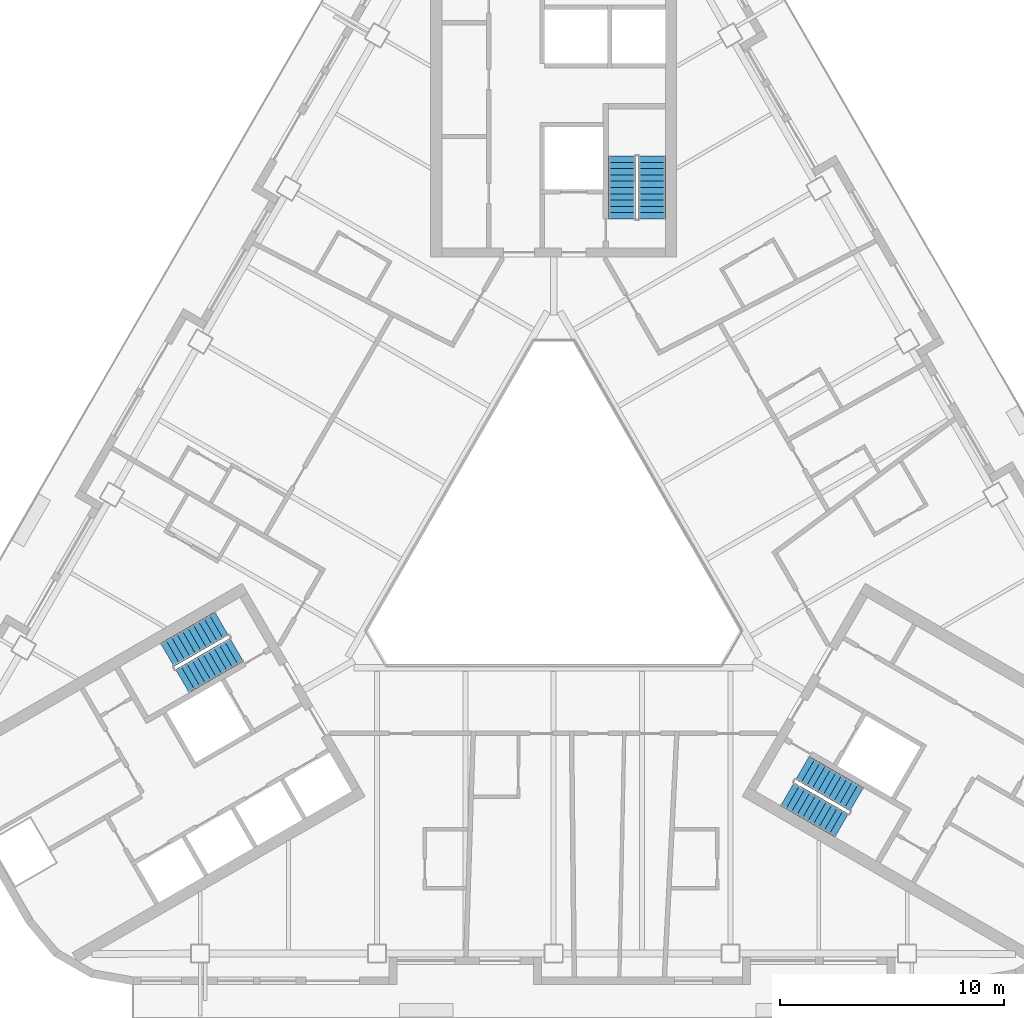
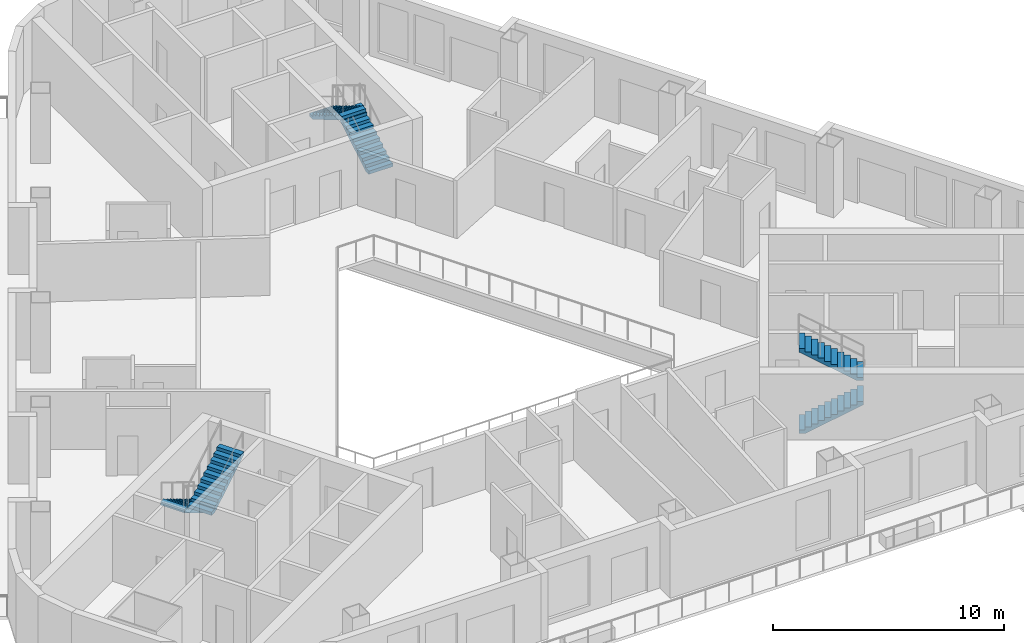
# One storey, part 8 of 14: 6 stair flights, 3 elements without a shape of their own.
"""IFC4 building model written with IfcOpenShell, lengths in metres."""

from ifc_helpers import new_model, si_unit, direction, frame, origin, place, context, subcontext, project, spatial, polyline, outline, extrude, material, type_object, element, aggregate, save


model = new_model("IFC4")

# Units and contexts
model_context = context("Model", 3, precision=1e-05, world=origin(), true_north=direction((0.0, 1.0)))
body_context = subcontext(model_context, "Body", "Model", "MODEL_VIEW")
ifc_project = project(units=[si_unit("LENGTHUNIT", "METRE"), si_unit("AREAUNIT", "SQUARE_METRE"), si_unit("VOLUMEUNIT", "CUBIC_METRE"), si_unit("PLANEANGLEUNIT", "RADIAN"), si_unit("MASSUNIT", "GRAM", prefix="KILO")], contexts=[model_context])

# Site, building, storey
site_placement = place(None, origin())
site = spatial("IfcSite", under=ifc_project, at=site_placement, CompositionType="ELEMENT")
building_placement = place(site_placement, origin())
building = spatial("IfcBuilding", under=site, at=building_placement, Name="Apuvela Tower Hotel", CompositionType="ELEMENT")
storey_placement = place(building_placement, frame((0.0, 0.0, 172.5)))
storey = spatial("IfcBuildingStorey", under=building, at=storey_placement, Name="L41", CompositionType="ELEMENT", Elevation=172.5)

# Stair, stair flights
ifc_material = material(Name="Concrete C50/60", Category="concrete")
stair_type = type_object("IfcStairType", Name="COR-STAIR-22R", PredefinedType="HALF_TURN_STAIR", material=ifc_material)
stair_1_placement = place(storey_placement, origin())
stair_1 = element("IfcStair", 1, at=stair_1_placement, inside=storey, type_object=stair_type, Name="L41 Exit stair ST1", PredefinedType="HALF_TURN_STAIR")
stair_flight_type = type_object("IfcStairFlightType", Name="COR-FLIGHT-11R", PredefinedType="STRAIGHT", material=ifc_material)
stair_flight_1_placement = place(storey_placement, frame((4.39990234375, 14.60009765625, 0.0), z_axis=(0.0, 0.0, 1.0), x_axis=(0.0, 1.0, 0.0)))
stair_flight_1 = element("IfcStairFlight", 2, at=stair_flight_1_placement, type_object=stair_flight_type, Name="ST1 flight 1", NumberOfRisers=11, NumberOfTreads=10, PredefinedType="STRAIGHT", RiserHeight=0.168181818, TreadLength=0.28, context=body_context, shape_type="SweptSolid", body=[
    extrude(outline(polyline([(0.0, 0.0), (0.0, 0.168212890625), (0.280029296875, 0.168212890625), (0.280029296875, 0.33642578125), (0.56005859375, 0.33642578125), (0.56005859375, 0.504638671875), (0.840087890625, 0.504638671875), (0.840087890625, 0.672607421875), (1.1201171875, 0.672607421875), (1.1201171875, 0.8408203125), (1.39990234375, 0.8408203125), (1.39990234375, 1.009033203125), (1.679931640625, 1.009033203125), (1.679931640625, 1.17724609375), (1.9599609375, 1.17724609375), (1.9599609375, 1.345458984375), (2.239990234375, 1.345458984375), (2.239990234375, 1.513671875), (2.52001953125, 1.513671875), (2.52001953125, 1.681884765625), (2.800048828125, 1.681884765625), (2.800048828125, 1.85009765625), (2.800048828125, 1.5068359375), (0.291015625, 0.0), (0.0, 0.0)])), frame((0.0, 0.60009765625, 0.0), z_axis=(0.0, -1.0, 0.0), x_axis=(1.0, 0.0, 0.0)), (0.0, 0.0, 1.0), 1.199951171875),
])
stair_flight_2_placement = place(storey_placement, frame((3.050048828125, 17.39990234375, 1.85009765625), z_axis=(0.0, 0.0, 1.0), x_axis=(0.0, -1.0, 0.0)))
stair_flight_2 = element("IfcStairFlight", 3, at=stair_flight_2_placement, type_object=stair_flight_type, Name="ST1 flight 2", NumberOfRisers=11, NumberOfTreads=10, PredefinedType="STRAIGHT", RiserHeight=0.168181818, TreadLength=0.28, context=body_context, shape_type="SweptSolid", body=[
    extrude(outline(polyline([(0.0, 0.0), (0.0, 0.168212890625), (0.280029296875, 0.168212890625), (0.280029296875, 0.33642578125), (0.56005859375, 0.33642578125), (0.56005859375, 0.504638671875), (0.840087890625, 0.504638671875), (0.840087890625, 0.672607421875), (1.1201171875, 0.672607421875), (1.1201171875, 0.8408203125), (1.39990234375, 0.8408203125), (1.39990234375, 1.009033203125), (1.679931640625, 1.009033203125), (1.679931640625, 1.17724609375), (1.9599609375, 1.17724609375), (1.9599609375, 1.345458984375), (2.239990234375, 1.345458984375), (2.239990234375, 1.513671875), (2.52001953125, 1.513671875), (2.52001953125, 1.681884765625), (2.800048828125, 1.681884765625), (2.800048828125, 1.85009765625), (2.800048828125, 1.5068359375), (0.291015625, 0.0), (0.0, 0.0)])), frame((0.0, 0.60009765625, 0.0), z_axis=(0.0, -1.0, 0.0), x_axis=(1.0, 0.0, 0.0)), (0.0, 0.0, 1.0), 1.199951171875),
])
aggregate(stair_1, [stair_flight_1, stair_flight_2])

stair_2_placement = place(storey_placement, origin())
stair_2 = element("IfcStair", 4, at=stair_2_placement, inside=storey, type_object=stair_type, Name="L41 Exit stair ST2", PredefinedType="HALF_TURN_STAIR")
stair_flight_3_placement = place(storey_placement, frame((-14.843994140625, -3.489501953125, 0.0), z_axis=(0.0, 0.0, 1.0), x_axis=(-0.866025403784, -0.5, 0.0)))
stair_flight_3 = element("IfcStairFlight", 5, at=stair_flight_3_placement, type_object=stair_flight_type, Name="ST2 flight 1", NumberOfRisers=11, NumberOfTreads=10, PredefinedType="STRAIGHT", RiserHeight=0.168181818, TreadLength=0.28, context=body_context, shape_type="SweptSolid", body=[
    extrude(outline(polyline([(0.0, 0.0), (0.0, 0.168212890625), (0.280029296875, 0.168212890625), (0.280029296875, 0.33642578125), (0.56005859375, 0.33642578125), (0.56005859375, 0.504638671875), (0.840087890625, 0.504638671875), (0.840087890625, 0.672607421875), (1.1201171875, 0.672607421875), (1.1201171875, 0.8408203125), (1.39990234375, 0.8408203125), (1.39990234375, 1.009033203125), (1.679931640625, 1.009033203125), (1.679931640625, 1.17724609375), (1.9599609375, 1.17724609375), (1.9599609375, 1.345458984375), (2.239990234375, 1.345458984375), (2.239990234375, 1.513671875), (2.52001953125, 1.513671875), (2.52001953125, 1.681884765625), (2.800048828125, 1.681884765625), (2.800048828125, 1.85009765625), (2.800048828125, 1.5068359375), (0.291015625, 0.0), (0.0, 0.0)])), frame((0.0, 0.60009765625, 0.0), z_axis=(0.0, -1.0, 0.0), x_axis=(1.0, 0.0, 0.0)), (0.0, 0.0, 1.0), 1.199951171875),
])
stair_flight_4_placement = place(storey_placement, frame((-16.59375, -6.05859375, 1.85009765625), z_axis=(0.0, 0.0, 1.0), x_axis=(0.866025403784, 0.5, 0.0)))
stair_flight_4 = element("IfcStairFlight", 6, at=stair_flight_4_placement, type_object=stair_flight_type, Name="ST2 flight 2", NumberOfRisers=11, NumberOfTreads=10, PredefinedType="STRAIGHT", RiserHeight=0.168181818, TreadLength=0.28, context=body_context, shape_type="SweptSolid", body=[
    extrude(outline(polyline([(0.0, 0.0), (0.0, 0.168212890625), (0.280029296875, 0.168212890625), (0.280029296875, 0.33642578125), (0.56005859375, 0.33642578125), (0.56005859375, 0.504638671875), (0.840087890625, 0.504638671875), (0.840087890625, 0.672607421875), (1.1201171875, 0.672607421875), (1.1201171875, 0.8408203125), (1.39990234375, 0.8408203125), (1.39990234375, 1.009033203125), (1.679931640625, 1.009033203125), (1.679931640625, 1.17724609375), (1.9599609375, 1.17724609375), (1.9599609375, 1.345458984375), (2.239990234375, 1.345458984375), (2.239990234375, 1.513671875), (2.52001953125, 1.513671875), (2.52001953125, 1.681884765625), (2.800048828125, 1.681884765625), (2.800048828125, 1.85009765625), (2.800048828125, 1.5068359375), (0.291015625, 0.0), (0.0, 0.0)])), frame((0.0, 0.60009765625, 0.0), z_axis=(0.0, -1.0, 0.0), x_axis=(1.0, 0.0, 0.0)), (0.0, 0.0, 1.0), 1.199951171875),
])
aggregate(stair_2, [stair_flight_3, stair_flight_4])

stair_3_placement = place(storey_placement, origin())
stair_3 = element("IfcStair", 7, at=stair_3_placement, inside=storey, type_object=stair_type, Name="L41 Exit stair ST3", PredefinedType="HALF_TURN_STAIR")
stair_flight_5_placement = place(storey_placement, frame((10.444091796875, -11.110595703125, 0.0), z_axis=(0.0, 0.0, 1.0), x_axis=(0.866025403784, -0.5, 0.0)))
stair_flight_5 = element("IfcStairFlight", 8, at=stair_flight_5_placement, type_object=stair_flight_type, Name="ST3 flight 1", NumberOfRisers=11, NumberOfTreads=10, PredefinedType="STRAIGHT", RiserHeight=0.168181818, TreadLength=0.28, context=body_context, shape_type="SweptSolid", body=[
    extrude(outline(polyline([(0.0, 0.0), (0.0, 0.168212890625), (0.280029296875, 0.168212890625), (0.280029296875, 0.33642578125), (0.56005859375, 0.33642578125), (0.56005859375, 0.504638671875), (0.840087890625, 0.504638671875), (0.840087890625, 0.672607421875), (1.1201171875, 0.672607421875), (1.1201171875, 0.8408203125), (1.39990234375, 0.8408203125), (1.39990234375, 1.009033203125), (1.679931640625, 1.009033203125), (1.679931640625, 1.17724609375), (1.9599609375, 1.17724609375), (1.9599609375, 1.345458984375), (2.239990234375, 1.345458984375), (2.239990234375, 1.513671875), (2.52001953125, 1.513671875), (2.52001953125, 1.681884765625), (2.800048828125, 1.681884765625), (2.800048828125, 1.85009765625), (2.800048828125, 1.5068359375), (0.291015625, 0.0), (0.0, 0.0)])), frame((0.0, 0.60009765625, 0.0), z_axis=(0.0, -1.0, 0.0), x_axis=(1.0, 0.0, 0.0)), (0.0, 0.0, 1.0), 1.199951171875),
])
stair_flight_6_placement = place(storey_placement, frame((13.5439453125, -11.34130859375, 1.85009765625), z_axis=(0.0, 0.0, 1.0), x_axis=(-0.866025403784, 0.5, 0.0)))
stair_flight_6 = element("IfcStairFlight", 9, at=stair_flight_6_placement, type_object=stair_flight_type, Name="ST3 flight 2", NumberOfRisers=11, NumberOfTreads=10, PredefinedType="STRAIGHT", RiserHeight=0.168181818, TreadLength=0.28, context=body_context, shape_type="SweptSolid", body=[
    extrude(outline(polyline([(0.0, 0.0), (0.0, 0.168212890625), (0.280029296875, 0.168212890625), (0.280029296875, 0.33642578125), (0.56005859375, 0.33642578125), (0.56005859375, 0.504638671875), (0.840087890625, 0.504638671875), (0.840087890625, 0.672607421875), (1.1201171875, 0.672607421875), (1.1201171875, 0.8408203125), (1.39990234375, 0.8408203125), (1.39990234375, 1.009033203125), (1.679931640625, 1.009033203125), (1.679931640625, 1.17724609375), (1.9599609375, 1.17724609375), (1.9599609375, 1.345458984375), (2.239990234375, 1.345458984375), (2.239990234375, 1.513671875), (2.52001953125, 1.513671875), (2.52001953125, 1.681884765625), (2.800048828125, 1.681884765625), (2.800048828125, 1.85009765625), (2.800048828125, 1.5068359375), (0.291015625, 0.0), (0.0, 0.0)])), frame((0.0, 0.60009765625, 0.0), z_axis=(0.0, -1.0, 0.0), x_axis=(1.0, 0.0, 0.0)), (0.0, 0.0, 1.0), 1.199951171875),
])
aggregate(stair_3, [stair_flight_5, stair_flight_6])

save(model, "model.ifc")
